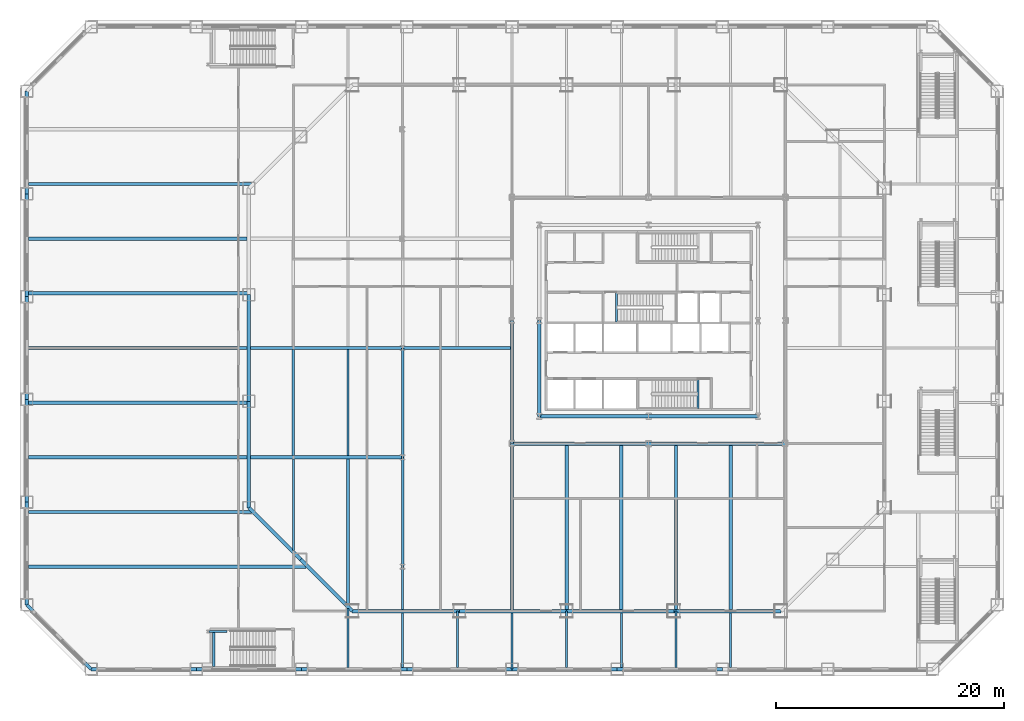
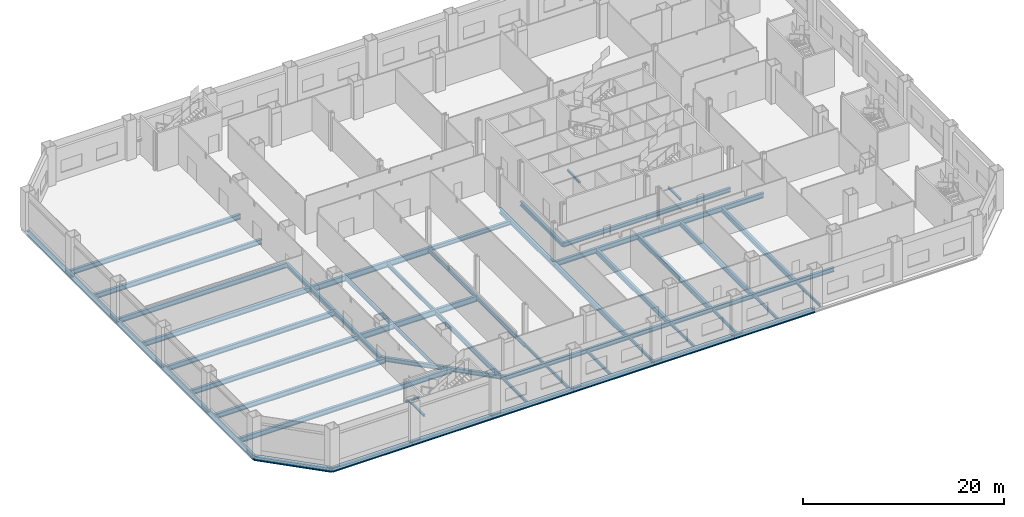
# One storey, part 8 of 26: 61 beams.
"""IFC4 building model written with IfcOpenShell, lengths in metres."""

from ifc_helpers import new_model, si_unit, direction, frame, origin, origin_2d, place, context, subcontext, project, spatial, i_section, extrude, material, material_profile, profile_set, type_object, element, save


model = new_model("IFC4")

# Units and contexts
model_context = context("Model", 3, precision=1e-05, world=origin(), true_north=direction((0.0, 1.0)))
body_context = subcontext(model_context, "Body", "Model", "MODEL_VIEW")
ifc_project = project(units=[si_unit("LENGTHUNIT", "METRE"), si_unit("AREAUNIT", "SQUARE_METRE"), si_unit("VOLUMEUNIT", "CUBIC_METRE"), si_unit("PLANEANGLEUNIT", "RADIAN"), si_unit("MASSUNIT", "GRAM", prefix="KILO")], contexts=[model_context])

# Site, building, storey
site_placement = place(None, origin())
site = spatial("IfcSite", under=ifc_project, at=site_placement, CompositionType="ELEMENT")
building_placement = place(site_placement, origin())
building = spatial("IfcBuilding", under=site, at=building_placement, Name="Cairn Pilgrim Tower", CompositionType="ELEMENT")
storey_placement = place(building_placement, frame((0.0, 0.0, 25.800048828125)))
storey = spatial("IfcBuildingStorey", under=building, at=storey_placement, Name="L04", CompositionType="ELEMENT", Elevation=25.800048828125)

# Beams
ifc_material = material(Name="Structural steel S355J2", Category="steel")
ifc_material_profile_1 = material_profile(ifc_material, i_section(OverallWidth=0.300048828125, OverallDepth=0.60009765625, WebThickness=0.015380859375, FlangeThickness=0.030029296875, FilletRadius=0.027099609375, at=origin_2d()), Name="HEB 600")
ifc_profile_set_1 = profile_set([ifc_material_profile_1], Name="Structural steel S355J2")
beam_type_1 = type_object("IfcBeamType", Name="PODIUM BEAM HE 600 B", PredefinedType="BEAM", material=ifc_profile_set_1)
for number, where, z_axis, x_axis, name in (
    (1, (-4.800048828125, -22.947998046875, -0.5), (0.0, 1.0, 0.0), (-1.0, 0.0, 0.0), "PODIUM BEAM PB-HE600B"),
    (2, (0.0, -23.10009765625, -0.5), (0.0, 1.0, 0.0), (-1.0, 0.0, 0.0), "PODIUM BEAM PB-HE600B"),
):
    element("IfcBeam", number, at=place(storey_placement, frame(where, z_axis=z_axis, x_axis=x_axis)), inside=storey, type_object=beam_type_1, Name=name, PredefinedType="BEAM", context=body_context, shape_type="SweptSolid", body=[
        extrude(i_section(OverallWidth=0.300048828125, OverallDepth=0.60009765625, WebThickness=0.015380859375, FlangeThickness=0.030029296875, FilletRadius=0.027099609375, at=origin_2d()), origin(), (0.0, 0.0, 1.0), 14.548095703125),
    ])
beam_1_placement = place(storey_placement, frame((4.800048828125, -22.947998046875, -0.5), z_axis=(0.0, 1.0, 0.0), x_axis=(-1.0, 0.0, 0.0)))
element("IfcBeam", 3, at=beam_1_placement, inside=storey, type_object=beam_type_1, Name="PODIUM BEAM PB-HE600B", PredefinedType="BEAM", context=body_context, shape_type="SweptSolid", body=[
    extrude(i_section(OverallWidth=0.300048828125, OverallDepth=0.60009765625, WebThickness=0.015380859375, FlangeThickness=0.030029296875, FilletRadius=0.027099609375, at=origin_2d()), origin(), (0.0, 0.0, 1.0), 14.39599609375),
])
beam_2_placement = place(storey_placement, frame((9.60009765625, -23.10009765625, -0.5), z_axis=(0.0, 1.0, 0.0), x_axis=(-1.0, 0.0, 0.0)))
element("IfcBeam", 4, at=beam_2_placement, inside=storey, type_object=beam_type_1, Name="PODIUM BEAM PB-HE600B", PredefinedType="BEAM", context=body_context, shape_type="SweptSolid", body=[
    extrude(i_section(OverallWidth=0.300048828125, OverallDepth=0.60009765625, WebThickness=0.015380859375, FlangeThickness=0.030029296875, FilletRadius=0.027099609375, at=origin_2d()), origin(), (0.0, 0.0, 1.0), 14.548095703125),
])
beam_3_placement = place(storey_placement, frame((14.39990234375, -22.947998046875, -0.5), z_axis=(0.0, 1.0, 0.0), x_axis=(-1.0, 0.0, 0.0)))
element("IfcBeam", 5, at=beam_3_placement, inside=storey, type_object=beam_type_1, Name="PODIUM BEAM PB-HE600B", PredefinedType="BEAM", context=body_context, shape_type="SweptSolid", body=[
    extrude(i_section(OverallWidth=0.300048828125, OverallDepth=0.60009765625, WebThickness=0.015380859375, FlangeThickness=0.030029296875, FilletRadius=0.027099609375, at=origin_2d()), origin(), (0.0, 0.0, 1.0), 14.39599609375),
])
beam_4_placement = place(storey_placement, frame((-47.248046875, -19.199951171875, -0.5), z_axis=(1.0, 0.0, 0.0), x_axis=(0.0, 1.0, 0.0)))
element("IfcBeam", 6, at=beam_4_placement, inside=storey, type_object=beam_type_1, Name="PODIUM BEAM PB-HE600B", PredefinedType="BEAM", context=body_context, shape_type="SweptSolid", body=[
    extrude(i_section(OverallWidth=0.300048828125, OverallDepth=0.60009765625, WebThickness=0.015380859375, FlangeThickness=0.030029296875, FilletRadius=0.027099609375, at=origin_2d()), origin(), (0.0, 0.0, 1.0), 24.368896484375),
])
beam_5_placement = place(storey_placement, frame((-47.248046875, -14.39990234375, -0.5), z_axis=(1.0, 0.0, 0.0), x_axis=(0.0, 1.0, 0.0)))
element("IfcBeam", 7, at=beam_5_placement, inside=storey, type_object=beam_type_1, Name="PODIUM BEAM PB-HE600B", PredefinedType="BEAM", context=body_context, shape_type="SweptSolid", body=[
    extrude(i_section(OverallWidth=0.300048828125, OverallDepth=0.60009765625, WebThickness=0.015380859375, FlangeThickness=0.030029296875, FilletRadius=0.027099609375, at=origin_2d()), origin(), (0.0, 0.0, 1.0), 19.56884765625),
])
beam_6_placement = place(storey_placement, frame((-47.248046875, -9.60009765625, -0.5), z_axis=(1.0, 0.0, 0.0), x_axis=(0.0, 1.0, 0.0)))
element("IfcBeam", 8, at=beam_6_placement, inside=storey, type_object=beam_type_1, Name="PODIUM BEAM PB-HE600B", PredefinedType="BEAM", context=body_context, shape_type="SweptSolid", body=[
    extrude(i_section(OverallWidth=0.300048828125, OverallDepth=0.60009765625, WebThickness=0.015380859375, FlangeThickness=0.030029296875, FilletRadius=0.027099609375, at=origin_2d()), origin(), (0.0, 0.0, 1.0), 19.196044921875),
])
beam_7_placement = place(storey_placement, frame((-47.39990234375, -4.800048828125, -0.5), z_axis=(1.0, 0.0, 0.0), x_axis=(0.0, 1.0, 0.0)))
element("IfcBeam", 9, at=beam_7_placement, inside=storey, type_object=beam_type_1, Name="PODIUM BEAM PB-HE600B", PredefinedType="BEAM", context=body_context, shape_type="SweptSolid", body=[
    extrude(i_section(OverallWidth=0.300048828125, OverallDepth=0.60009765625, WebThickness=0.015380859375, FlangeThickness=0.030029296875, FilletRadius=0.027099609375, at=origin_2d()), origin(), (0.0, 0.0, 1.0), 19.5),
])
beam_8_placement = place(storey_placement, frame((-47.248046875, 0.0, -0.5), z_axis=(1.0, 0.0, 0.0), x_axis=(0.0, 1.0, 0.0)))
element("IfcBeam", 10, at=beam_8_placement, inside=storey, type_object=beam_type_1, Name="PODIUM BEAM PB-HE600B", PredefinedType="BEAM", context=body_context, shape_type="SweptSolid", body=[
    extrude(i_section(OverallWidth=0.300048828125, OverallDepth=0.60009765625, WebThickness=0.015380859375, FlangeThickness=0.030029296875, FilletRadius=0.027099609375, at=origin_2d()), origin(), (0.0, 0.0, 1.0), 19.196044921875),
])
beam_9_placement = place(storey_placement, frame((-47.39990234375, 4.800048828125, -0.5), z_axis=(1.0, 0.0, 0.0), x_axis=(0.0, 1.0, 0.0)))
element("IfcBeam", 11, at=beam_9_placement, inside=storey, type_object=beam_type_1, Name="PODIUM BEAM PB-HE600B", PredefinedType="BEAM", context=body_context, shape_type="SweptSolid", body=[
    extrude(i_section(OverallWidth=0.300048828125, OverallDepth=0.60009765625, WebThickness=0.015380859375, FlangeThickness=0.030029296875, FilletRadius=0.027099609375, at=origin_2d()), origin(), (0.0, 0.0, 1.0), 19.5),
])
beam_10_placement = place(storey_placement, frame((-47.248046875, 9.60009765625, -0.5), z_axis=(1.0, 0.0, 0.0), x_axis=(0.0, 1.0, 0.0)))
element("IfcBeam", 12, at=beam_10_placement, inside=storey, type_object=beam_type_1, Name="PODIUM BEAM PB-HE600B", PredefinedType="BEAM", context=body_context, shape_type="SweptSolid", body=[
    extrude(i_section(OverallWidth=0.300048828125, OverallDepth=0.60009765625, WebThickness=0.015380859375, FlangeThickness=0.030029296875, FilletRadius=0.027099609375, at=origin_2d()), origin(), (0.0, 0.0, 1.0), 19.196044921875),
])
beam_11_placement = place(storey_placement, frame((-47.248046875, 14.39990234375, -0.5), z_axis=(1.0, 0.0, 0.0), x_axis=(0.0, 1.0, 0.0)))
element("IfcBeam", 13, at=beam_11_placement, inside=storey, type_object=beam_type_1, Name="PODIUM BEAM PB-HE600B", PredefinedType="BEAM", context=body_context, shape_type="SweptSolid", body=[
    extrude(i_section(OverallWidth=0.300048828125, OverallDepth=0.60009765625, WebThickness=0.015380859375, FlangeThickness=0.030029296875, FilletRadius=0.027099609375, at=origin_2d()), origin(), (0.0, 0.0, 1.0), 19.56884765625),
])
ifc_material_profile_2 = material_profile(ifc_material, i_section(OverallWidth=0.169921875, OverallDepth=0.360107421875, WebThickness=0.008056640625, FlangeThickness=0.0126953125, FilletRadius=0.01806640625, at=origin_2d()), Name="IPE 360")
ifc_profile_set_2 = profile_set([ifc_material_profile_2], Name="Structural steel S355J2")
beam_type_2 = type_object("IfcBeamType", Name="PODIUM BEAM IPE 360", PredefinedType="BEAM", material=ifc_profile_set_2)
beam_12_placement = place(storey_placement, frame((-14.39990234375, -22.947998046875, -0.380126953125), z_axis=(0.0, 1.0, 0.0), x_axis=(-1.0, 0.0, 0.0)))
element("IfcBeam", 14, at=beam_12_placement, inside=storey, type_object=beam_type_2, Name="PODIUM BEAM PB-IPE360", PredefinedType="BEAM", context=body_context, shape_type="SweptSolid", body=[
    extrude(i_section(OverallWidth=0.169921875, OverallDepth=0.360107421875, WebThickness=0.008056640625, FlangeThickness=0.0126953125, FilletRadius=0.01806640625, at=origin_2d()), origin(), (0.0, 0.0, 1.0), 3.748046875),
])
beam_13_placement = place(storey_placement, frame((-19.199951171875, -28.048095703125, -0.380126953125), z_axis=(0.0, 1.0, 0.0), x_axis=(-1.0, 0.0, 0.0)))
element("IfcBeam", 15, at=beam_13_placement, inside=storey, type_object=beam_type_2, Name="PODIUM BEAM PB-IPE360", PredefinedType="BEAM", context=body_context, shape_type="SweptSolid", body=[
    extrude(i_section(OverallWidth=0.169921875, OverallDepth=0.360107421875, WebThickness=0.008056640625, FlangeThickness=0.0126953125, FilletRadius=0.01806640625, at=origin_2d()), origin(), (0.0, 0.0, 1.0), 5.1689453125),
])
beam_14_placement = place(storey_placement, frame((-14.39990234375, -28.048095703125, -0.380126953125), z_axis=(0.0, 1.0, 0.0), x_axis=(-1.0, 0.0, 0.0)))
element("IfcBeam", 16, at=beam_14_placement, inside=storey, type_object=beam_type_2, Name="PODIUM BEAM PB-IPE360", PredefinedType="BEAM", context=body_context, shape_type="SweptSolid", body=[
    extrude(i_section(OverallWidth=0.169921875, OverallDepth=0.360107421875, WebThickness=0.008056640625, FlangeThickness=0.0126953125, FilletRadius=0.01806640625, at=origin_2d()), origin(), (0.0, 0.0, 1.0), 4.796142578125),
])
for number, where, z_axis, x_axis, name in (
    (17, (-9.60009765625, -28.048095703125, -0.380126953125), (0.0, 1.0, 0.0), (-1.0, 0.0, 0.0), "PODIUM BEAM PB-IPE360"),
    (18, (-4.800048828125, -28.199951171875, -0.380126953125), (0.0, 1.0, 0.0), (-1.0, 0.0, 0.0), "PODIUM BEAM PB-IPE360"),
    (19, (0.0, -28.048095703125, -0.380126953125), (0.0, 1.0, 0.0), (-1.0, 0.0, 0.0), "PODIUM BEAM PB-IPE360"),
):
    element("IfcBeam", number, at=place(storey_placement, frame(where, z_axis=z_axis, x_axis=x_axis)), inside=storey, type_object=beam_type_2, Name=name, PredefinedType="BEAM", context=body_context, shape_type="SweptSolid", body=[
        extrude(i_section(OverallWidth=0.169921875, OverallDepth=0.360107421875, WebThickness=0.008056640625, FlangeThickness=0.0126953125, FilletRadius=0.01806640625, at=origin_2d()), origin(), (0.0, 0.0, 1.0), 4.947998046875),
    ])
beam_15_placement = place(storey_placement, frame((4.800048828125, -28.048095703125, -0.380126953125), z_axis=(0.0, 1.0, 0.0), x_axis=(-1.0, 0.0, 0.0)))
element("IfcBeam", 20, at=beam_15_placement, inside=storey, type_object=beam_type_2, Name="PODIUM BEAM PB-IPE360", PredefinedType="BEAM", context=body_context, shape_type="SweptSolid", body=[
    extrude(i_section(OverallWidth=0.169921875, OverallDepth=0.360107421875, WebThickness=0.008056640625, FlangeThickness=0.0126953125, FilletRadius=0.01806640625, at=origin_2d()), origin(), (0.0, 0.0, 1.0), 4.796142578125),
])
beam_16_placement = place(storey_placement, frame((9.60009765625, -28.048095703125, -0.380126953125), z_axis=(0.0, 1.0, 0.0), x_axis=(-1.0, 0.0, 0.0)))
element("IfcBeam", 21, at=beam_16_placement, inside=storey, type_object=beam_type_2, Name="PODIUM BEAM PB-IPE360", PredefinedType="BEAM", context=body_context, shape_type="SweptSolid", body=[
    extrude(i_section(OverallWidth=0.169921875, OverallDepth=0.360107421875, WebThickness=0.008056640625, FlangeThickness=0.0126953125, FilletRadius=0.01806640625, at=origin_2d()), origin(), (0.0, 0.0, 1.0), 4.947998046875),
])
beam_17_placement = place(storey_placement, frame((14.39990234375, -28.048095703125, -0.380126953125), z_axis=(0.0, 1.0, 0.0), x_axis=(-1.0, 0.0, 0.0)))
element("IfcBeam", 22, at=beam_17_placement, inside=storey, type_object=beam_type_2, Name="PODIUM BEAM PB-IPE360", PredefinedType="BEAM", context=body_context, shape_type="SweptSolid", body=[
    extrude(i_section(OverallWidth=0.169921875, OverallDepth=0.360107421875, WebThickness=0.008056640625, FlangeThickness=0.0126953125, FilletRadius=0.01806640625, at=origin_2d()), origin(), (0.0, 0.0, 1.0), 4.796142578125),
])
ifc_material_profile_3 = material_profile(ifc_material, i_section(OverallWidth=0.179931640625, OverallDepth=0.39990234375, WebThickness=0.008544921875, FlangeThickness=0.013427734375, FilletRadius=0.02099609375, at=origin_2d()), Name="IPE 400")
ifc_profile_set_3 = profile_set([ifc_material_profile_3], Name="Structural steel S355J2")
beam_type_3 = type_object("IfcBeamType", Name="PODIUM BEAM IPE 400", PredefinedType="BEAM", material=ifc_profile_set_3)
beam_18_placement = place(storey_placement, frame((-24.0, -17.775146484375, -0.400146484375), z_axis=(0.0, 1.0, 0.0), x_axis=(-1.0, 0.0, 0.0)))
element("IfcBeam", 23, at=beam_18_placement, inside=storey, type_object=beam_type_3, Name="PODIUM BEAM PB-IPE400", PredefinedType="BEAM", context=body_context, shape_type="SweptSolid", body=[
    extrude(i_section(OverallWidth=0.179931640625, OverallDepth=0.39990234375, WebThickness=0.008544921875, FlangeThickness=0.013427734375, FilletRadius=0.02099609375, at=origin_2d()), origin(), (0.0, 0.0, 1.0), 8.023193359375),
])
ifc_material_profile_4 = material_profile(ifc_material, i_section(OverallWidth=0.199951171875, OverallDepth=0.5, WebThickness=0.01025390625, FlangeThickness=0.01611328125, FilletRadius=0.02099609375, at=origin_2d()), Name="IPE 500")
ifc_profile_set_4 = profile_set([ifc_material_profile_4], Name="Structural steel S355J2")
beam_type_4 = type_object("IfcBeamType", Name="PODIUM BEAM IPE 500", PredefinedType="BEAM", material=ifc_profile_set_4)
for number, where, z_axis, x_axis, name in (
    (24, (-24.0, -9.447998046875, -0.449951171875), (0.0, 1.0, 0.0), (-1.0, 0.0, 0.0), "PODIUM BEAM PB-IPE500"),
    (25, (-19.199951171875, -9.447998046875, -0.449951171875), (0.0, 1.0, 0.0), (-1.0, 0.0, 0.0), "PODIUM BEAM PB-IPE500"),
):
    element("IfcBeam", number, at=place(storey_placement, frame(where, z_axis=z_axis, x_axis=x_axis)), inside=storey, type_object=beam_type_4, Name=name, PredefinedType="BEAM", context=body_context, shape_type="SweptSolid", body=[
        extrude(i_section(OverallWidth=0.199951171875, OverallDepth=0.5, WebThickness=0.01025390625, FlangeThickness=0.01611328125, FilletRadius=0.02099609375, at=origin_2d()), origin(), (0.0, 0.0, 1.0), 9.2958984375),
    ])
beam_19_placement = place(storey_placement, frame((-14.39990234375, -19.199951171875, -0.449951171875), z_axis=(0.0, 1.0, 0.0), x_axis=(-1.0, 0.0, 0.0)))
element("IfcBeam", 26, at=beam_19_placement, inside=storey, type_object=beam_type_4, Name="PODIUM BEAM PB-IPE500", PredefinedType="BEAM", context=body_context, shape_type="SweptSolid", body=[
    extrude(i_section(OverallWidth=0.199951171875, OverallDepth=0.5, WebThickness=0.01025390625, FlangeThickness=0.01611328125, FilletRadius=0.02099609375, at=origin_2d()), origin(), (0.0, 0.0, 1.0), 9.599853515625),
])
beam_20_placement = place(storey_placement, frame((-14.39990234375, -9.60009765625, -0.449951171875), z_axis=(0.0, 1.0, 0.0), x_axis=(-1.0, 0.0, 0.0)))
element("IfcBeam", 27, at=beam_20_placement, inside=storey, type_object=beam_type_4, Name="PODIUM BEAM PB-IPE500", PredefinedType="BEAM", context=body_context, shape_type="SweptSolid", body=[
    extrude(i_section(OverallWidth=0.199951171875, OverallDepth=0.5, WebThickness=0.01025390625, FlangeThickness=0.01611328125, FilletRadius=0.02099609375, at=origin_2d()), origin(), (0.0, 0.0, 1.0), 9.60009765625),
])
ifc_material_profile_5 = material_profile(ifc_material, i_section(OverallWidth=0.219970703125, OverallDepth=0.60009765625, WebThickness=0.011962890625, FlangeThickness=0.01904296875, FilletRadius=0.02392578125, at=origin_2d()), Name="IPE 600")
ifc_profile_set_5 = profile_set([ifc_material_profile_5], Name="Structural steel S355J2")
beam_type_5 = type_object("IfcBeamType", Name="PODIUM BEAM IPE 600", PredefinedType="BEAM", material=ifc_profile_set_5)
beam_21_placement = place(storey_placement, frame((-19.199951171875, -22.5751953125, -0.5), z_axis=(0.0, 1.0, 0.0), x_axis=(-1.0, 0.0, 0.0)))
element("IfcBeam", 28, at=beam_21_placement, inside=storey, type_object=beam_type_5, Name="PODIUM BEAM PB-IPE600", PredefinedType="BEAM", context=body_context, shape_type="SweptSolid", body=[
    extrude(i_section(OverallWidth=0.219970703125, OverallDepth=0.60009765625, WebThickness=0.011962890625, FlangeThickness=0.01904296875, FilletRadius=0.02392578125, at=origin_2d()), origin(), (0.0, 0.0, 1.0), 12.8232421875),
])
ifc_material_profile_6 = material_profile(ifc_material, i_section(OverallWidth=0.300048828125, OverallDepth=0.60009765625, WebThickness=0.015380859375, FlangeThickness=0.030029296875, FilletRadius=0.027099609375, at=origin_2d()), Name="HEB 600")
ifc_profile_set_6 = profile_set([ifc_material_profile_6], Name="Structural steel S355J2")
beam_type_6 = type_object("IfcBeamType", Name="PODIUM EDGE GIRDER HE 600 B", PredefinedType="BEAM", material=ifc_profile_set_6)
beam_22_placement = place(storey_placement, frame((-41.75146484375, -28.199951171875, -0.5), z_axis=(1.0, 0.0, 0.0), x_axis=(0.0, 1.0, 0.0)))
element("IfcBeam", 29, at=beam_22_placement, inside=storey, type_object=beam_type_6, Name="PODIUM EDGE GIRDER PE-HE600B", PredefinedType="BEAM", context=body_context, shape_type="SweptSolid", body=[
    extrude(i_section(OverallWidth=0.300048828125, OverallDepth=0.60009765625, WebThickness=0.015380859375, FlangeThickness=0.030029296875, FilletRadius=0.027099609375, at=origin_2d()), origin(), (0.0, 0.0, 1.0), 9.23779296875),
])
beam_23_placement = place(storey_placement, frame((-32.513671875, -28.199951171875, -0.5), z_axis=(1.0, 0.0, 0.0), x_axis=(0.0, 1.0, 0.0)))
element("IfcBeam", 30, at=beam_23_placement, inside=storey, type_object=beam_type_6, Name="PODIUM EDGE GIRDER PE-HE600B", PredefinedType="BEAM", context=body_context, shape_type="SweptSolid", body=[
    extrude(i_section(OverallWidth=0.300048828125, OverallDepth=0.60009765625, WebThickness=0.015380859375, FlangeThickness=0.030029296875, FilletRadius=0.027099609375, at=origin_2d()), origin(), (0.0, 0.0, 1.0), 9.238037109375),
])
for number, where, z_axis, x_axis, name in (
    (31, (-23.275634765625, -28.199951171875, -0.5), (1.0, 0.0, 0.0), (0.0, 1.0, 0.0), "PODIUM EDGE GIRDER PE-HE600B"),
    (32, (-14.037841796875, -28.199951171875, -0.5), (1.0, 0.0, 0.0), (0.0, 1.0, 0.0), "PODIUM EDGE GIRDER PE-HE600B"),
):
    element("IfcBeam", number, at=place(storey_placement, frame(where, z_axis=z_axis, x_axis=x_axis)), inside=storey, type_object=beam_type_6, Name=name, PredefinedType="BEAM", context=body_context, shape_type="SweptSolid", body=[
        extrude(i_section(OverallWidth=0.300048828125, OverallDepth=0.60009765625, WebThickness=0.015380859375, FlangeThickness=0.030029296875, FilletRadius=0.027099609375, at=origin_2d()), origin(), (0.0, 0.0, 1.0), 9.23779296875),
    ])
beam_24_placement = place(storey_placement, frame((-4.800048828125, -28.199951171875, -0.5), z_axis=(1.0, 0.0, 0.0), x_axis=(0.0, 1.0, 0.0)))
element("IfcBeam", 33, at=beam_24_placement, inside=storey, type_object=beam_type_6, Name="PODIUM EDGE GIRDER PE-HE600B", PredefinedType="BEAM", context=body_context, shape_type="SweptSolid", body=[
    extrude(i_section(OverallWidth=0.300048828125, OverallDepth=0.60009765625, WebThickness=0.015380859375, FlangeThickness=0.030029296875, FilletRadius=0.027099609375, at=origin_2d()), origin(), (0.0, 0.0, 1.0), 9.238037109375),
])
beam_25_placement = place(storey_placement, frame((4.43798828125, -28.199951171875, -0.5), z_axis=(1.0, 0.0, 0.0), x_axis=(0.0, 1.0, 0.0)))
element("IfcBeam", 34, at=beam_25_placement, inside=storey, type_object=beam_type_6, Name="PODIUM EDGE GIRDER PE-HE600B", PredefinedType="BEAM", context=body_context, shape_type="SweptSolid", body=[
    extrude(i_section(OverallWidth=0.300048828125, OverallDepth=0.60009765625, WebThickness=0.015380859375, FlangeThickness=0.030029296875, FilletRadius=0.027099609375, at=origin_2d()), origin(), (0.0, 0.0, 1.0), 9.23779296875),
])
beam_26_placement = place(storey_placement, frame((-47.39990234375, 22.551513671875, -0.5), z_axis=(0.0, -1.0, 0.0), x_axis=(1.0, 0.0, 0.0)))
element("IfcBeam", 35, at=beam_26_placement, inside=storey, type_object=beam_type_6, Name="PODIUM EDGE GIRDER PE-HE600B", PredefinedType="BEAM", context=body_context, shape_type="SweptSolid", body=[
    extrude(i_section(OverallWidth=0.300048828125, OverallDepth=0.60009765625, WebThickness=0.015380859375, FlangeThickness=0.030029296875, FilletRadius=0.027099609375, at=origin_2d()), origin(), (0.0, 0.0, 1.0), 9.0205078125),
])
beam_27_placement = place(storey_placement, frame((-47.39990234375, 13.531005859375, -0.5), z_axis=(0.0, -1.0, 0.0), x_axis=(1.0, 0.0, 0.0)))
element("IfcBeam", 36, at=beam_27_placement, inside=storey, type_object=beam_type_6, Name="PODIUM EDGE GIRDER PE-HE600B", PredefinedType="BEAM", context=body_context, shape_type="SweptSolid", body=[
    extrude(i_section(OverallWidth=0.300048828125, OverallDepth=0.60009765625, WebThickness=0.015380859375, FlangeThickness=0.030029296875, FilletRadius=0.027099609375, at=origin_2d()), origin(), (0.0, 0.0, 1.0), 9.020751953125),
])
beam_28_placement = place(storey_placement, frame((-47.39990234375, 4.51025390625, -0.5), z_axis=(0.0, -1.0, 0.0), x_axis=(1.0, 0.0, 0.0)))
element("IfcBeam", 37, at=beam_28_placement, inside=storey, type_object=beam_type_6, Name="PODIUM EDGE GIRDER PE-HE600B", PredefinedType="BEAM", context=body_context, shape_type="SweptSolid", body=[
    extrude(i_section(OverallWidth=0.300048828125, OverallDepth=0.60009765625, WebThickness=0.015380859375, FlangeThickness=0.030029296875, FilletRadius=0.027099609375, at=origin_2d()), origin(), (0.0, 0.0, 1.0), 9.0205078125),
])
beam_29_placement = place(storey_placement, frame((-47.39990234375, -4.51025390625, -0.5), z_axis=(0.0, -1.0, 0.0), x_axis=(1.0, 0.0, 0.0)))
element("IfcBeam", 38, at=beam_29_placement, inside=storey, type_object=beam_type_6, Name="PODIUM EDGE GIRDER PE-HE600B", PredefinedType="BEAM", context=body_context, shape_type="SweptSolid", body=[
    extrude(i_section(OverallWidth=0.300048828125, OverallDepth=0.60009765625, WebThickness=0.015380859375, FlangeThickness=0.030029296875, FilletRadius=0.027099609375, at=origin_2d()), origin(), (0.0, 0.0, 1.0), 9.020751953125),
])
beam_30_placement = place(storey_placement, frame((-47.39990234375, -13.531005859375, -0.5), z_axis=(0.0, -1.0, 0.0), x_axis=(1.0, 0.0, 0.0)))
element("IfcBeam", 39, at=beam_30_placement, inside=storey, type_object=beam_type_6, Name="PODIUM EDGE GIRDER PE-HE600B", PredefinedType="BEAM", context=body_context, shape_type="SweptSolid", body=[
    extrude(i_section(OverallWidth=0.300048828125, OverallDepth=0.60009765625, WebThickness=0.015380859375, FlangeThickness=0.030029296875, FilletRadius=0.027099609375, at=origin_2d()), origin(), (0.0, 0.0, 1.0), 9.0205078125),
])
beam_31_placement = place(storey_placement, frame((-47.39990234375, -22.551513671875, -0.5), z_axis=(0.707106781187, -0.707106781187, 0.0), x_axis=(0.707106781187, 0.707106781187, 0.0)))
element("IfcBeam", 40, at=beam_31_placement, inside=storey, type_object=beam_type_6, Name="PODIUM EDGE GIRDER PE-HE600B", PredefinedType="BEAM", context=body_context, shape_type="SweptSolid", body=[
    extrude(i_section(OverallWidth=0.300048828125, OverallDepth=0.60009765625, WebThickness=0.015380859375, FlangeThickness=0.030029296875, FilletRadius=0.027099609375, at=origin_2d()), origin(), (0.0, 0.0, 1.0), 7.988037109375),
])
ifc_material_profile_7 = material_profile(ifc_material, i_section(OverallWidth=0.300048828125, OverallDepth=0.5, WebThickness=0.014404296875, FlangeThickness=0.028076171875, FilletRadius=0.027099609375, at=origin_2d()), Name="HEB 500")
ifc_profile_set_7 = profile_set([ifc_material_profile_7], Name="Structural steel S355J2")
beam_type_7 = type_object("IfcBeamType", Name="PODIUM GIRDER HE 500 B", PredefinedType="BEAM", material=ifc_profile_set_7)
for number, where, z_axis, x_axis, name in (
    (41, (-18.8271484375, -23.10009765625, -0.449951171875), (1.0, 0.0, 0.0), (0.0, 1.0, 0.0), "PODIUM GIRDER PG-HE500B"),
    (42, (-9.41357421875, -23.10009765625, -0.449951171875), (1.0, 0.0, 0.0), (0.0, 1.0, 0.0), "PODIUM GIRDER PG-HE500B"),
    (43, (0.0, -23.10009765625, -0.449951171875), (1.0, 0.0, 0.0), (0.0, 1.0, 0.0), "PODIUM GIRDER PG-HE500B"),
    (44, (9.41357421875, -23.10009765625, -0.449951171875), (1.0, 0.0, 0.0), (0.0, 1.0, 0.0), "PODIUM GIRDER PG-HE500B"),
):
    element("IfcBeam", number, at=place(storey_placement, frame(where, z_axis=z_axis, x_axis=x_axis)), inside=storey, type_object=beam_type_7, Name=name, PredefinedType="BEAM", context=body_context, shape_type="SweptSolid", body=[
        extrude(i_section(OverallWidth=0.300048828125, OverallDepth=0.5, WebThickness=0.014404296875, FlangeThickness=0.028076171875, FilletRadius=0.027099609375, at=origin_2d()), origin(), (0.0, 0.0, 1.0), 9.41357421875),
    ])
beam_32_placement = place(storey_placement, frame((-27.89990234375, 4.67578125, -0.449951171875), z_axis=(0.0, -1.0, 0.0), x_axis=(1.0, 0.0, 0.0)))
element("IfcBeam", 45, at=beam_32_placement, inside=storey, type_object=beam_type_7, Name="PODIUM GIRDER PG-HE500B", PredefinedType="BEAM", context=body_context, shape_type="SweptSolid", body=[
    extrude(i_section(OverallWidth=0.300048828125, OverallDepth=0.5, WebThickness=0.014404296875, FlangeThickness=0.028076171875, FilletRadius=0.027099609375, at=origin_2d()), origin(), (0.0, 0.0, 1.0), 9.3515625),
])
beam_33_placement = place(storey_placement, frame((-27.89990234375, -4.67578125, -0.449951171875), z_axis=(0.0, -1.0, 0.0), x_axis=(1.0, 0.0, 0.0)))
element("IfcBeam", 46, at=beam_33_placement, inside=storey, type_object=beam_type_7, Name="PODIUM GIRDER PG-HE500B", PredefinedType="BEAM", context=body_context, shape_type="SweptSolid", body=[
    extrude(i_section(OverallWidth=0.300048828125, OverallDepth=0.5, WebThickness=0.014404296875, FlangeThickness=0.028076171875, FilletRadius=0.027099609375, at=origin_2d()), origin(), (0.0, 0.0, 1.0), 9.351318359375),
])
for number, where, z_axis, x_axis, name in (
    (47, (-27.89990234375, -14.027099609375, -0.449951171875), (0.707087753759, -0.707125808102, 0.0), (0.707125808102, 0.707087753759, 0.0), "PODIUM GIRDER PG-HE500B"),
    (48, (-23.363525390625, -18.563720703125, -0.449951171875), (0.707106781187, -0.707106781187, 0.0), (0.707106781187, 0.707106781187, 0.0), "PODIUM GIRDER PG-HE500B"),
):
    element("IfcBeam", number, at=place(storey_placement, frame(where, z_axis=z_axis, x_axis=x_axis)), inside=storey, type_object=beam_type_7, Name=name, PredefinedType="BEAM", context=body_context, shape_type="SweptSolid", body=[
        extrude(i_section(OverallWidth=0.300048828125, OverallDepth=0.5, WebThickness=0.014404296875, FlangeThickness=0.028076171875, FilletRadius=0.027099609375, at=origin_2d()), origin(), (0.0, 0.0, 1.0), 6.41552734375),
    ])
beam_34_placement = place(storey_placement, frame((-2.39990234375, 2.39990234375, -0.449951171875), z_axis=(0.0, -1.0, 0.0), x_axis=(1.0, 0.0, 0.0)))
element("IfcBeam", 49, at=beam_34_placement, inside=storey, type_object=beam_type_7, Name="PODIUM GIRDER PG-HE500B", PredefinedType="BEAM", context=body_context, shape_type="SweptSolid", body=[
    extrude(i_section(OverallWidth=0.300048828125, OverallDepth=0.5, WebThickness=0.014404296875, FlangeThickness=0.028076171875, FilletRadius=0.027099609375, at=origin_2d()), origin(), (0.0, 0.0, 1.0), 8.39990234375),
])
beam_35_placement = place(storey_placement, frame((-2.39990234375, -6.0, -0.449951171875), z_axis=(1.0, 0.0, 0.0), x_axis=(0.0, 1.0, 0.0)))
element("IfcBeam", 50, at=beam_35_placement, inside=storey, type_object=beam_type_7, Name="PODIUM GIRDER PG-HE500B", PredefinedType="BEAM", context=body_context, shape_type="SweptSolid", body=[
    extrude(i_section(OverallWidth=0.300048828125, OverallDepth=0.5, WebThickness=0.014404296875, FlangeThickness=0.028076171875, FilletRadius=0.027099609375, at=origin_2d()), origin(), (0.0, 0.0, 1.0), 9.599853515625),
])
beam_36_placement = place(storey_placement, frame((7.199951171875, -6.0, -0.449951171875), z_axis=(1.0, 0.0, 0.0), x_axis=(0.0, 1.0, 0.0)))
element("IfcBeam", 51, at=beam_36_placement, inside=storey, type_object=beam_type_7, Name="PODIUM GIRDER PG-HE500B", PredefinedType="BEAM", context=body_context, shape_type="SweptSolid", body=[
    extrude(i_section(OverallWidth=0.300048828125, OverallDepth=0.5, WebThickness=0.014404296875, FlangeThickness=0.028076171875, FilletRadius=0.027099609375, at=origin_2d()), origin(), (0.0, 0.0, 1.0), 9.60009765625),
])
beam_37_placement = place(storey_placement, frame((-14.39990234375, 0.0, -0.449951171875), z_axis=(1.0, 0.0, 0.0), x_axis=(0.0, 1.0, 0.0)))
element("IfcBeam", 52, at=beam_37_placement, inside=storey, type_object=beam_type_7, Name="PODIUM GIRDER PG-HE500B", PredefinedType="BEAM", context=body_context, shape_type="SweptSolid", body=[
    extrude(i_section(OverallWidth=0.300048828125, OverallDepth=0.5, WebThickness=0.014404296875, FlangeThickness=0.028076171875, FilletRadius=0.027099609375, at=origin_2d()), origin(), (0.0, 0.0, 1.0), 9.447998046875),
])
ifc_material_profile_8 = material_profile(ifc_material, i_section(OverallWidth=0.300048828125, OverallDepth=0.60009765625, WebThickness=0.015380859375, FlangeThickness=0.030029296875, FilletRadius=0.027099609375, at=origin_2d()), Name="HEB 600")
ifc_profile_set_8 = profile_set([ifc_material_profile_8], Name="Structural steel S355J2")
beam_type_8 = type_object("IfcBeamType", Name="PODIUM GIRDER HE 600 B", PredefinedType="BEAM", material=ifc_profile_set_8)
beam_38_placement = place(storey_placement, frame((-4.800048828125, 2.39990234375, -0.5), z_axis=(0.0, -1.0, 0.0), x_axis=(1.0, 0.0, 0.0)))
element("IfcBeam", 53, at=beam_38_placement, inside=storey, type_object=beam_type_8, Name="PODIUM GIRDER PG-HE600B", PredefinedType="BEAM", context=body_context, shape_type="SweptSolid", body=[
    extrude(i_section(OverallWidth=0.300048828125, OverallDepth=0.60009765625, WebThickness=0.015380859375, FlangeThickness=0.030029296875, FilletRadius=0.027099609375, at=origin_2d()), origin(), (0.0, 0.0, 1.0), 10.7998046875),
])
for number, where, z_axis, x_axis, name in (
    (54, (-4.800048828125, -8.39990234375, -0.5), (1.0, 0.0, 0.0), (0.0, 1.0, 0.0), "PODIUM GIRDER PG-HE600B"),
    (55, (7.199951171875, -8.39990234375, -0.5), (1.0, 0.0, 0.0), (0.0, 1.0, 0.0), "PODIUM GIRDER PG-HE600B"),
):
    element("IfcBeam", number, at=place(storey_placement, frame(where, z_axis=z_axis, x_axis=x_axis)), inside=storey, type_object=beam_type_8, Name=name, PredefinedType="BEAM", context=body_context, shape_type="SweptSolid", body=[
        extrude(i_section(OverallWidth=0.300048828125, OverallDepth=0.60009765625, WebThickness=0.015380859375, FlangeThickness=0.030029296875, FilletRadius=0.027099609375, at=origin_2d()), origin(), (0.0, 0.0, 1.0), 12.0),
    ])
ifc_material_profile_9 = material_profile(ifc_material, i_section(OverallWidth=0.300048828125, OverallDepth=0.699951171875, WebThickness=0.01708984375, FlangeThickness=0.031982421875, FilletRadius=0.027099609375, at=origin_2d()), Name="HEB 700")
ifc_profile_set_9 = profile_set([ifc_material_profile_9], Name="Structural steel S355J2")
beam_type_9 = type_object("IfcBeamType", Name="PODIUM GIRDER HE 700 B", PredefinedType="BEAM", material=ifc_profile_set_9)
for number, where, z_axis, x_axis, name in (
    (56, (-27.748046875, -9.60009765625, -0.550048828125), (1.0, 0.0, 0.0), (0.0, 1.0, 0.0), "PODIUM GIRDER PG-HE700B"),
    (57, (-27.748046875, 0.0, -0.550048828125), (1.0, 0.0, 0.0), (0.0, 1.0, 0.0), "PODIUM GIRDER PG-HE700B"),
):
    element("IfcBeam", number, at=place(storey_placement, frame(where, z_axis=z_axis, x_axis=x_axis)), inside=storey, type_object=beam_type_9, Name=name, PredefinedType="BEAM", context=body_context, shape_type="SweptSolid", body=[
        extrude(i_section(OverallWidth=0.300048828125, OverallDepth=0.699951171875, WebThickness=0.01708984375, FlangeThickness=0.031982421875, FilletRadius=0.027099609375, at=origin_2d()), origin(), (0.0, 0.0, 1.0), 13.34814453125),
    ])
ifc_material_profile_10 = material_profile(ifc_material, i_section(OverallWidth=0.199951171875, OverallDepth=0.199951171875, WebThickness=0.009033203125, FlangeThickness=0.014892578125, FilletRadius=0.01806640625, at=origin_2d()), Name="HE 200 B")
ifc_profile_set_10 = profile_set([ifc_material_profile_10], Name="Structural steel S355J2")
beam_type_10 = type_object("IfcBeamType", Name="STAIR LANDING BEAM HE 200 B", PredefinedType="BEAM", material=ifc_profile_set_10)
beam_39_placement = place(storey_placement, frame((-31.39990234375, -24.89990234375, 2.099853515625), z_axis=(1.0, 0.0, 0.0), x_axis=(0.0, 1.0, 0.0)))
element("IfcBeam", 58, at=beam_39_placement, inside=storey, type_object=beam_type_10, Name="STAIR LANDING BEAM LD-HE200B", PredefinedType="BEAM", context=body_context, shape_type="SweptSolid", body=[
    extrude(i_section(OverallWidth=0.199951171875, OverallDepth=0.199951171875, WebThickness=0.009033203125, FlangeThickness=0.014892578125, FilletRadius=0.01806640625, at=origin_2d()), origin(), (0.0, 0.0, 1.0), 1.579833984375),
])
beam_40_placement = place(storey_placement, frame((-30.9951171875, -27.949951171875, 2.099853515625), z_axis=(0.0, 1.0, 0.0), x_axis=(-1.0, 0.0, 0.0)))
element("IfcBeam", 59, at=beam_40_placement, inside=storey, type_object=beam_type_10, Name="STAIR LANDING BEAM LD-HE200B", PredefinedType="BEAM", context=body_context, shape_type="SweptSolid", body=[
    extrude(i_section(OverallWidth=0.199951171875, OverallDepth=0.199951171875, WebThickness=0.009033203125, FlangeThickness=0.014892578125, FilletRadius=0.01806640625, at=origin_2d()), origin(), (0.0, 0.0, 1.0), 2.949951171875),
])
beam_41_placement = place(storey_placement, frame((11.5244140625, -2.77490234375, -0.300048828125), z_axis=(0.0, -1.0, 0.0), x_axis=(1.0, 0.0, 0.0)))
element("IfcBeam", 60, at=beam_41_placement, inside=storey, type_object=beam_type_10, Name="STAIR LANDING BEAM LD-HE200B", PredefinedType="BEAM", context=body_context, shape_type="SweptSolid", body=[
    extrude(i_section(OverallWidth=0.199951171875, OverallDepth=0.199951171875, WebThickness=0.009033203125, FlangeThickness=0.014892578125, FilletRadius=0.01806640625, at=origin_2d()), origin(), (0.0, 0.0, 1.0), 2.525146484375),
])
beam_42_placement = place(storey_placement, frame((4.37548828125, 2.27490234375, -0.300048828125), z_axis=(0.0, 1.0, 0.0), x_axis=(-1.0, 0.0, 0.0)))
element("IfcBeam", 61, at=beam_42_placement, inside=storey, type_object=beam_type_10, Name="STAIR LANDING BEAM LD-HE200B", PredefinedType="BEAM", context=body_context, shape_type="SweptSolid", body=[
    extrude(i_section(OverallWidth=0.199951171875, OverallDepth=0.199951171875, WebThickness=0.009033203125, FlangeThickness=0.014892578125, FilletRadius=0.01806640625, at=origin_2d()), origin(), (0.0, 0.0, 1.0), 2.550048828125),
])

save(model, "model.ifc")
